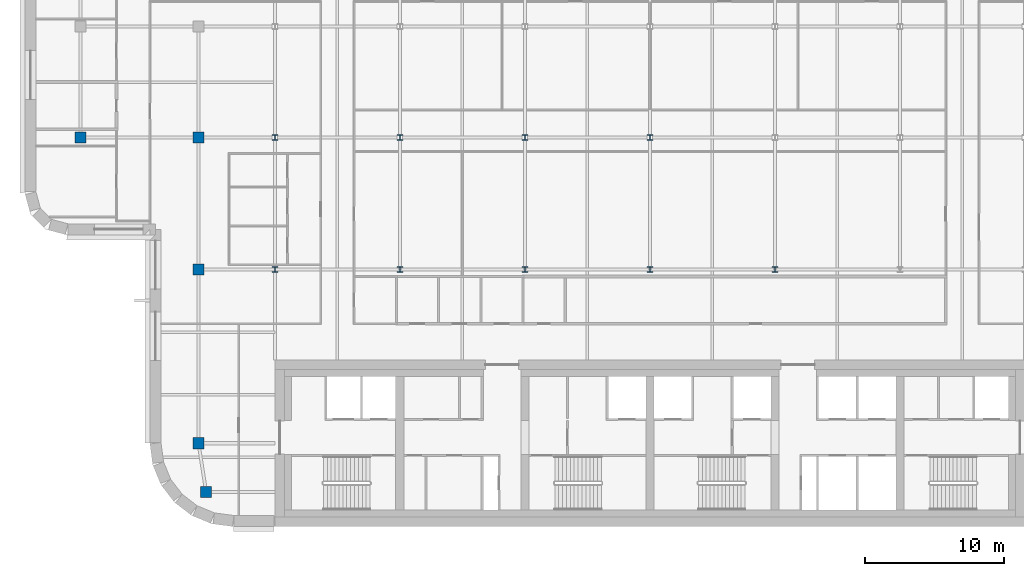
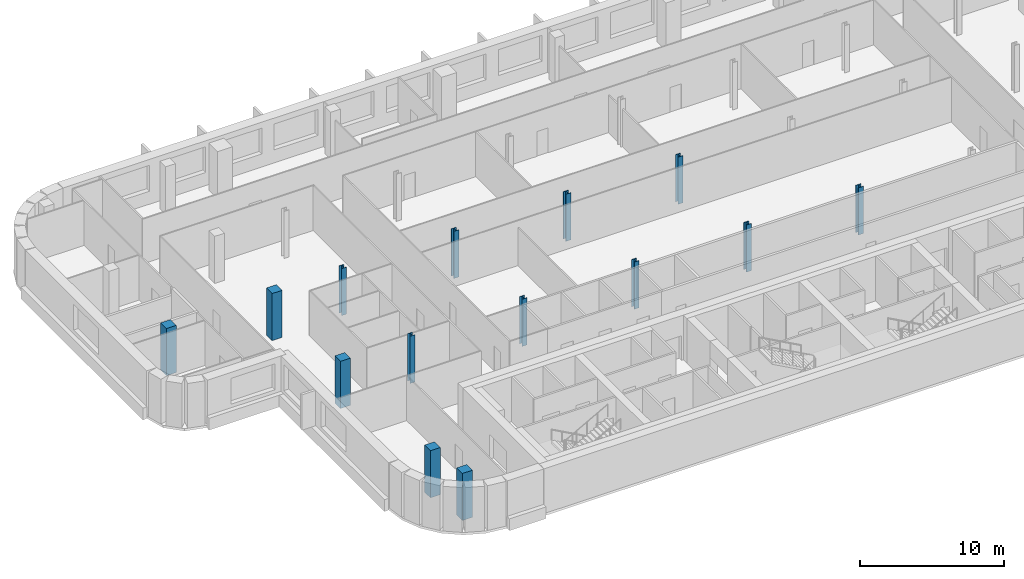
# One storey, part 1 of 16: 14 columns.
"""IFC4 building model written with IfcOpenShell, lengths in metres."""

from ifc_helpers import new_model, si_unit, direction, frame, origin, origin_2d, place, context, subcontext, project, spatial, rectangle, i_section, extrude, material, material_profile, profile_set, type_object, element, save


model = new_model("IFC4")

# Units and contexts
model_context = context("Model", 3, precision=1e-05, world=origin(), true_north=direction((0.0, 1.0)))
body_context = subcontext(model_context, "Body", "Model", "MODEL_VIEW")
ifc_project = project(units=[si_unit("LENGTHUNIT", "METRE"), si_unit("AREAUNIT", "SQUARE_METRE"), si_unit("VOLUMEUNIT", "CUBIC_METRE"), si_unit("PLANEANGLEUNIT", "RADIAN"), si_unit("MASSUNIT", "GRAM", prefix="KILO")], contexts=[model_context])

# Site, building, storey
site_placement = place(None, origin())
site = spatial("IfcSite", under=ifc_project, at=site_placement, CompositionType="ELEMENT")
building_placement = place(site_placement, origin())
building = spatial("IfcBuilding", under=site, at=building_placement, Name="Zellij Exchange Tower", CompositionType="ELEMENT")
storey_placement = place(building_placement, frame((0.0, 0.0, 236.5)))
storey = spatial("IfcBuildingStorey", under=building, at=storey_placement, Name="L55", CompositionType="ELEMENT", Elevation=236.5)

# Columns
ifc_material_1 = material(Name="Concrete C50/60", Category="concrete")
ifc_material_profile_1 = material_profile(ifc_material_1, rectangle(XDim=0.800048828125, YDim=0.800048828125, at=origin_2d()), Name="STR-COLUMN RC800x800 C50/60")
ifc_profile_set_1 = profile_set([ifc_material_profile_1], Name="Concrete C50/60")
column_type_1 = type_object("IfcColumnType", Name="STR-COLUMN RC800x800 C50/60", PredefinedType="COLUMN", material=ifc_profile_set_1)
for number, where, z_axis, x_axis, name in (
    (1, (-31.949951171875, -11.5, 0.0), (0.0, 0.0, 1.0), (1.0, 0.0, 0.0), "C15"),
    (2, (-32.5, -8.0, 0.0), (0.0, 0.0, 1.0), (1.0, 0.0, 0.0), "C15"),
    (3, (-32.5, 4.5, 0.0), (0.0, 0.0, 1.0), (1.0, 0.0, 0.0), "C15"),
    (4, (-41.0, 14.0, 0.0), (0.0, 0.0, 1.0), (1.0, 0.0, 0.0), "C15"),
    (5, (-32.5, 14.0, 0.0), (0.0, 0.0, 1.0), (1.0, 0.0, 0.0), "C15"),
):
    element("IfcColumn", number, at=place(storey_placement, frame(where, z_axis=z_axis, x_axis=x_axis)), inside=storey, type_object=column_type_1, Name=name, PredefinedType="COLUMN", context=body_context, shape_type="SweptSolid", body=[
        extrude(rectangle(XDim=0.800048828125, YDim=0.800048828125, at=origin_2d()), origin(), (0.0, 0.0, 1.0), 4.0),
    ])
ifc_material_2 = material(Name="Structural steel ASTM A992 Gr 50", Category="steel")
ifc_material_profile_2 = material_profile(ifc_material_2, i_section(OverallWidth=0.398681640625, OverallDepth=0.385986328125, WebThickness=0.02099609375, FlangeThickness=0.033203125, at=origin_2d()), Name="W14x176")
ifc_profile_set_2 = profile_set([ifc_material_profile_2], Name="Structural steel ASTM A992 Gr 50")
column_type_2 = type_object("IfcColumnType", Name="STR-COLUMN W14x176", PredefinedType="COLUMN", material=ifc_profile_set_2)
for number, where, z_axis, x_axis, name in (
    (6, (-27.0, 4.5, 0.0), (0.0, 0.0, 1.0), (1.0, 0.0, 0.0), "C2"),
    (7, (-18.0, 4.5, 0.0), (0.0, 0.0, 1.0), (1.0, 0.0, 0.0), "C2"),
    (8, (-9.0, 4.5, 0.0), (0.0, 0.0, 1.0), (1.0, 0.0, 0.0), "C2"),
    (9, (0.0, 4.5, 0.0), (0.0, 0.0, 1.0), (1.0, 0.0, 0.0), "C2"),
    (10, (9.0, 4.5, 0.0), (0.0, 0.0, 1.0), (1.0, 0.0, 0.0), "C2"),
    (11, (-27.0, 14.0, 0.0), (0.0, 0.0, 1.0), (1.0, 0.0, 0.0), "C2"),
    (12, (-18.0, 14.0, 0.0), (0.0, 0.0, 1.0), (1.0, 0.0, 0.0), "C2"),
    (13, (-9.0, 14.0, 0.0), (0.0, 0.0, 1.0), (1.0, 0.0, 0.0), "C2"),
    (14, (0.0, 14.0, 0.0), (0.0, 0.0, 1.0), (1.0, 0.0, 0.0), "C2"),
):
    element("IfcColumn", number, at=place(storey_placement, frame(where, z_axis=z_axis, x_axis=x_axis)), inside=storey, type_object=column_type_2, Name=name, PredefinedType="COLUMN", context=body_context, shape_type="SweptSolid", body=[
        extrude(i_section(OverallWidth=0.398681640625, OverallDepth=0.385986328125, WebThickness=0.02099609375, FlangeThickness=0.033203125, at=origin_2d()), origin(), (0.0, 0.0, 1.0), 4.0),
    ])

save(model, "model.ifc")
